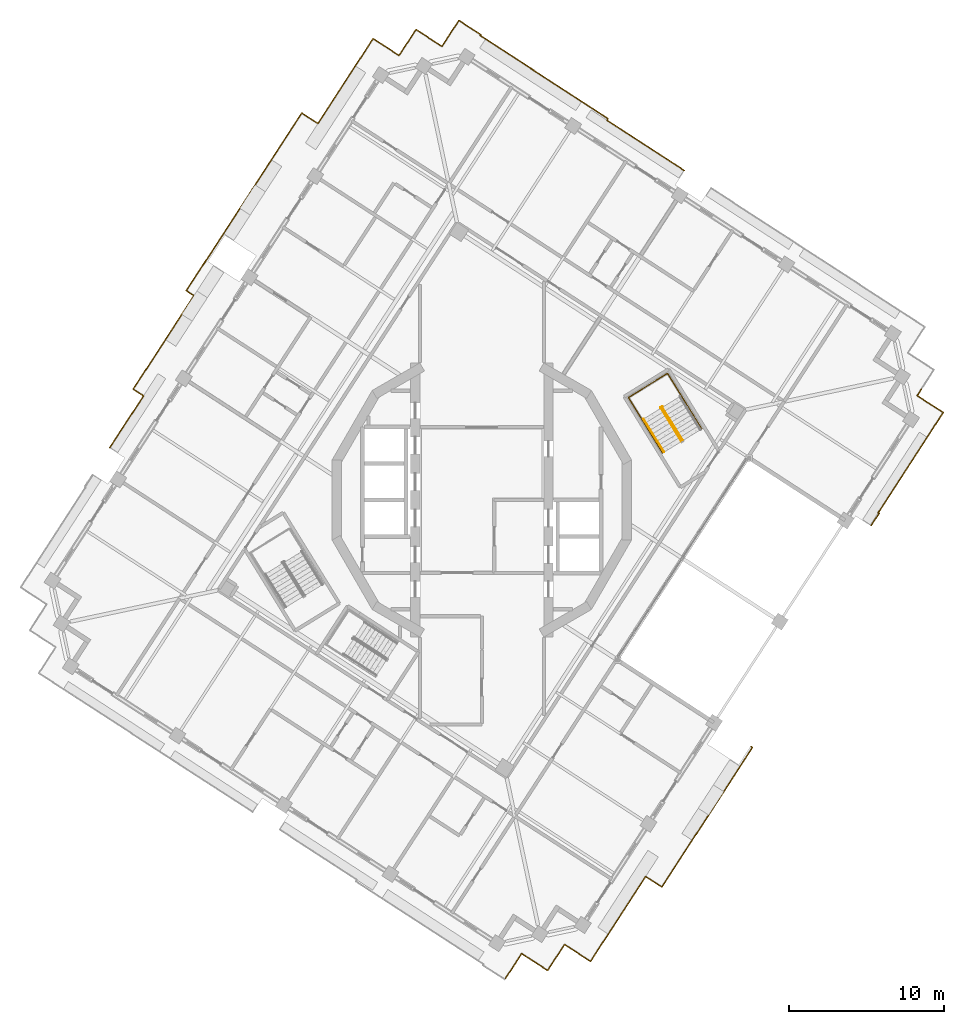
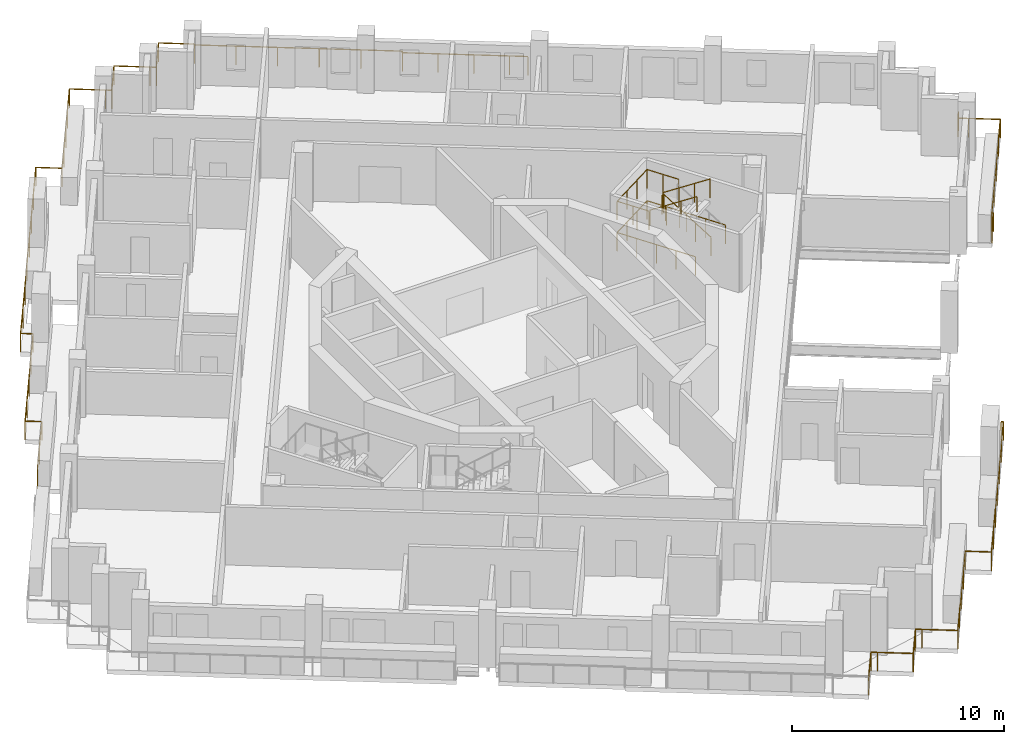
# One storey, part 15 of 17: 9 railings.
"""IFC4 building model written with IfcOpenShell, lengths in metres."""

from ifc_helpers import new_model, si_unit, direction, frame, origin, origin_2d, place, context, subcontext, project, spatial, circle, extrude, material, type_object, element, save


model = new_model("IFC4")

# Units and contexts
model_context = context("Model", 3, precision=1e-05, world=origin(), true_north=direction((0.0, 1.0)))
body_context = subcontext(model_context, "Body", "Model", "MODEL_VIEW")
ifc_project = project(units=[si_unit("LENGTHUNIT", "METRE"), si_unit("AREAUNIT", "SQUARE_METRE"), si_unit("VOLUMEUNIT", "CUBIC_METRE"), si_unit("PLANEANGLEUNIT", "RADIAN"), si_unit("MASSUNIT", "GRAM", prefix="KILO")], contexts=[model_context])

# Site, building, storey
site_placement = place(None, origin())
site = spatial("IfcSite", under=ifc_project, at=site_placement, CompositionType="ELEMENT")
building_placement = place(site_placement, origin())
building = spatial("IfcBuilding", under=site, at=building_placement, Name="Cantera Rosa Tower", CompositionType="ELEMENT")
storey_placement = place(building_placement, frame((0.0, 0.0, 264.89990234375)))
storey = spatial("IfcBuildingStorey", under=building, at=storey_placement, Name="L59", CompositionType="ELEMENT", Elevation=264.89990234375)

# Railings
ifc_material_1 = material(Name="Stainless steel and laminated glass", Category="steel")
railing_type_1 = type_object("IfcRailingType", Name="GUARD 1100", PredefinedType="BALUSTRADE", material=ifc_material_1)
railing_1_placement = place(storey_placement, frame((-5.58984375, 28.8486328125, 0.0)))
element("IfcRailing", 1, at=railing_1_placement, inside=storey, type_object=railing_type_1, Name="GUARD L59-3", PredefinedType="BALUSTRADE", context=body_context, shape_type="SweptSolid", body=[
    extrude(circle(Radius=0.030029296875, at=origin_2d()), frame((0.0, 0.0, 1.070068359375), z_axis=(0.838499355694, -0.544902588084, 0.0), x_axis=(0.544902588084, 0.838499355694, 0.0)), (0.0, 0.0, 1.0), 0.30029296875),
    extrude(circle(Radius=0.030029296875, at=origin_2d()), frame((0.251708984375, -0.16357421875, 1.070068359375), z_axis=(0.5443304008, 0.838870916629, 0.0), x_axis=(-0.838870916629, 0.5443304008, 0.0)), (0.0, 0.0, 1.0), 0.300048828125),
    extrude(circle(Radius=0.030029296875, at=origin_2d()), frame((0.4150390625, 0.088134765625, 1.070068359375), z_axis=(0.544685462014, 0.838640416073, 0.0), x_axis=(-0.838640416073, 0.544685462014, 0.0)), (0.0, 0.0, 1.0), 1.7001953125),
    extrude(circle(Radius=0.030029296875, at=origin_2d()), frame((1.341064453125, 1.513916015625, 1.070068359375), z_axis=(0.83859780397, -0.544751065329, 0.0), x_axis=(0.544751065329, 0.83859780397, 0.0)), (0.0, 0.0, 1.0), 1.699951171875),
    extrude(circle(Radius=0.030029296875, at=origin_2d()), frame((2.7666015625, 0.587890625, 1.070068359375), z_axis=(0.838870916629, -0.5443304008, 0.0), x_axis=(0.5443304008, 0.838870916629, 0.0)), (0.0, 0.0, 1.0), 0.300048828125),
    extrude(circle(Radius=0.030029296875, at=origin_2d()), frame((3.018310546875, 0.424560546875, 1.070068359375), z_axis=(0.54468796124, 0.838638792855, 0.0), x_axis=(-0.838638792855, 0.54468796124, 0.0)), (0.0, 0.0, 1.0), 2.0),
    extrude(circle(Radius=0.030029296875, at=origin_2d()), frame((4.107666015625, 2.101806640625, 1.070068359375), z_axis=(0.838663412569, -0.54465005317, 0.0), x_axis=(0.54465005317, 0.838663412569, 0.0)), (0.0, 0.0, 1.0), 1.69970703125),
    extrude(circle(Radius=0.030029296875, at=origin_2d()), frame((5.533203125, 1.176025390625, 1.070068359375), z_axis=(-0.54339569987, -0.839476690184, 0.0), x_axis=(0.839476690184, -0.54339569987, 0.0)), (0.0, 0.0, 1.0), 0.070068359375),
    extrude(circle(Radius=0.030029296875, at=origin_2d()), frame((5.4951171875, 1.1171875, 1.070068359375), z_axis=(0.838672787013, -0.544635617935, 0.0), x_axis=(0.544635617935, 0.838672787013, 0.0)), (0.0, 0.0, 1.0), 9.830078125),
    extrude(circle(Radius=0.030029296875, at=origin_2d()), frame((13.7392578125, -4.236572265625, 1.070068359375), z_axis=(-0.545120486239, -0.83835771332, 0.0), x_axis=(0.83835771332, -0.545120486239, 0.0)), (0.0, 0.0, 1.0), 0.1298828125),
    extrude(circle(Radius=0.030029296875, at=origin_2d()), frame((13.66845703125, -4.345458984375, 1.070068359375), z_axis=(0.838664674471, -0.544648110062, 0.0), x_axis=(0.544648110062, 0.838664674471, 0.0)), (0.0, 0.0, 1.0), 5.0703125),
    extrude(circle(Radius=0.030029296875, at=origin_2d()), frame((17.920654296875, -7.10693359375, 1.070068359375), z_axis=(0.838725681888, -0.544554157584, 0.0), x_axis=(0.544554157584, 0.838725681888, 0.0)), (0.0, 0.0, 1.0), 0.869873046875),
    extrude(circle(Radius=0.02490234375, at=origin_2d()), origin(), (0.0, 0.0, 1.0), 1.0400390625),
    extrude(circle(Radius=0.02490234375, at=origin_2d()), frame((0.251708984375, -0.16357421875, 0.0)), (0.0, 0.0, 1.0), 1.0400390625),
    extrude(circle(Radius=0.02490234375, at=origin_2d()), frame((0.4150390625, 0.088134765625, 0.0)), (0.0, 0.0, 1.0), 1.0400390625),
    extrude(circle(Radius=0.02490234375, at=origin_2d()), frame((1.341064453125, 1.513916015625, 0.0)), (0.0, 0.0, 1.0), 1.0400390625),
    extrude(circle(Radius=0.02490234375, at=origin_2d()), frame((2.7666015625, 0.587890625, 0.0)), (0.0, 0.0, 1.0), 1.0400390625),
    extrude(circle(Radius=0.02490234375, at=origin_2d()), frame((3.018310546875, 0.424560546875, 0.0)), (0.0, 0.0, 1.0), 1.0400390625),
    extrude(circle(Radius=0.02490234375, at=origin_2d()), frame((4.107666015625, 2.101806640625, 0.0)), (0.0, 0.0, 1.0), 1.0400390625),
    extrude(circle(Radius=0.02490234375, at=origin_2d()), frame((5.533203125, 1.176025390625, 0.0)), (0.0, 0.0, 1.0), 1.0400390625),
    extrude(circle(Radius=0.02490234375, at=origin_2d()), frame((5.4951171875, 1.1171875, 0.0)), (0.0, 0.0, 1.0), 1.0400390625),
    extrude(circle(Radius=0.02490234375, at=origin_2d()), frame((7.14404296875, 0.04638671875, 0.0)), (0.0, 0.0, 1.0), 1.0400390625),
    extrude(circle(Radius=0.02490234375, at=origin_2d()), frame((8.792724609375, -1.0244140625, 0.0)), (0.0, 0.0, 1.0), 1.0400390625),
    extrude(circle(Radius=0.02490234375, at=origin_2d()), frame((10.441650390625, -2.094970703125, 0.0)), (0.0, 0.0, 1.0), 1.0400390625),
    extrude(circle(Radius=0.02490234375, at=origin_2d()), frame((12.09033203125, -3.165771484375, 0.0)), (0.0, 0.0, 1.0), 1.0400390625),
    extrude(circle(Radius=0.02490234375, at=origin_2d()), frame((13.7392578125, -4.236572265625, 0.0)), (0.0, 0.0, 1.0), 1.0400390625),
    extrude(circle(Radius=0.02490234375, at=origin_2d()), frame((13.66845703125, -4.345458984375, 0.0)), (0.0, 0.0, 1.0), 1.0400390625),
    extrude(circle(Radius=0.02490234375, at=origin_2d()), frame((15.0859375, -5.265869140625, 0.0)), (0.0, 0.0, 1.0), 1.0400390625),
    extrude(circle(Radius=0.02490234375, at=origin_2d()), frame((16.503173828125, -6.1865234375, 0.0)), (0.0, 0.0, 1.0), 1.0400390625),
    extrude(circle(Radius=0.02490234375, at=origin_2d()), frame((17.920654296875, -7.10693359375, 0.0)), (0.0, 0.0, 1.0), 1.0400390625),
    extrude(circle(Radius=0.02490234375, at=origin_2d()), frame((18.650146484375, -7.58056640625, 0.0)), (0.0, 0.0, 1.0), 1.0400390625),
])
railing_2_placement = place(storey_placement, frame((-24.00390625, 3.37841796875, 0.0)))
element("IfcRailing", 2, at=railing_2_placement, inside=storey, type_object=railing_type_1, Name="GUARD L59-4", PredefinedType="BALUSTRADE", context=body_context, shape_type="SweptSolid", body=[
    extrude(circle(Radius=0.030029296875, at=origin_2d()), frame((0.0, 0.0, 1.070068359375), z_axis=(0.544618301385, 0.838684032158, 0.0), x_axis=(-0.838684032158, 0.544618301385, 0.0)), (0.0, 0.0, 1.0), 3.9892578125),
    extrude(circle(Radius=0.030029296875, at=origin_2d()), frame((2.172607421875, 3.345703125, 1.070068359375), z_axis=(-0.838697885351, 0.54459696759, 0.0), x_axis=(-0.54459696759, -0.838697885351, 0.0)), (0.0, 0.0, 1.0), 0.78955078125),
    extrude(circle(Radius=0.030029296875, at=origin_2d()), frame((1.510498046875, 3.775634765625, 1.070068359375), z_axis=(0.544649472572, 0.838663789624, 0.0), x_axis=(-0.838663789624, 0.544649472572, 0.0)), (0.0, 0.0, 1.0), 7.192626953125),
    extrude(circle(Radius=0.030029296875, at=origin_2d()), frame((5.427978515625, 9.807861328125, 1.070068359375), z_axis=(-0.838766340753, 0.544491529429, 0.0), x_axis=(-0.544491529429, -0.838766340753, 0.0)), (0.0, 0.0, 1.0), 0.58740234375),
    extrude(circle(Radius=0.030029296875, at=origin_2d()), frame((4.935302734375, 10.127685546875, 1.070068359375), z_axis=(0.544641318497, 0.838669085031, 0.0), x_axis=(-0.838669085031, 0.544641318497, 0.0)), (0.0, 0.0, 1.0), 13.676513671875),
    extrude(circle(Radius=0.030029296875, at=origin_2d()), frame((12.384033203125, 21.59765625, 1.070068359375), z_axis=(0.838729508859, -0.544548263214, 0.0), x_axis=(0.544548263214, 0.838729508859, 0.0)), (0.0, 0.0, 1.0), 1.248046875),
    extrude(circle(Radius=0.030029296875, at=origin_2d()), frame((13.430908203125, 20.91796875, 1.070068359375), z_axis=(0.544643753579, 0.838667503655, 0.0), x_axis=(-0.838667503655, 0.544643753579, 0.0)), (0.0, 0.0, 1.0), 4.831787109375),
    extrude(circle(Radius=0.030029296875, at=origin_2d()), frame((16.0625, 24.97021484375, 1.070068359375), z_axis=(0.544584451758, 0.838706012202, 0.0), x_axis=(-0.838706012202, 0.544584451758, 0.0)), (0.0, 0.0, 1.0), 1.699951171875),
    extrude(circle(Radius=0.030029296875, at=origin_2d()), frame((16.98828125, 26.39599609375, 1.070068359375), z_axis=(0.838706012202, -0.544584451758, 0.0), x_axis=(0.544584451758, 0.838706012202, 0.0)), (0.0, 0.0, 1.0), 1.699951171875),
    extrude(circle(Radius=0.02490234375, at=origin_2d()), origin(), (0.0, 0.0, 1.0), 1.0400390625),
    extrude(circle(Radius=0.02490234375, at=origin_2d()), frame((1.08642578125, 1.6728515625, 0.0)), (0.0, 0.0, 1.0), 1.0400390625),
    extrude(circle(Radius=0.02490234375, at=origin_2d()), frame((2.172607421875, 3.345703125, 0.0)), (0.0, 0.0, 1.0), 1.0400390625),
    extrude(circle(Radius=0.02490234375, at=origin_2d()), frame((1.510498046875, 3.775634765625, 0.0)), (0.0, 0.0, 1.0), 1.0400390625),
    extrude(circle(Radius=0.02490234375, at=origin_2d()), frame((2.48974609375, 5.28369140625, 0.0)), (0.0, 0.0, 1.0), 1.0400390625),
    extrude(circle(Radius=0.02490234375, at=origin_2d()), frame((3.46923828125, 6.791748046875, 0.0)), (0.0, 0.0, 1.0), 1.0400390625),
    extrude(circle(Radius=0.02490234375, at=origin_2d()), frame((4.44873046875, 8.2998046875, 0.0)), (0.0, 0.0, 1.0), 1.0400390625),
    extrude(circle(Radius=0.02490234375, at=origin_2d()), frame((5.427978515625, 9.807861328125, 0.0)), (0.0, 0.0, 1.0), 1.0400390625),
    extrude(circle(Radius=0.02490234375, at=origin_2d()), frame((4.935302734375, 10.127685546875, 0.0)), (0.0, 0.0, 1.0), 1.0400390625),
    extrude(circle(Radius=0.02490234375, at=origin_2d()), frame((5.99951171875, 11.766357421875, 0.0)), (0.0, 0.0, 1.0), 1.0400390625),
    extrude(circle(Radius=0.02490234375, at=origin_2d()), frame((7.0634765625, 13.40478515625, 0.0)), (0.0, 0.0, 1.0), 1.0400390625),
    extrude(circle(Radius=0.02490234375, at=origin_2d()), frame((8.127685546875, 15.04345703125, 0.0)), (0.0, 0.0, 1.0), 1.0400390625),
    extrude(circle(Radius=0.02490234375, at=origin_2d()), frame((9.191650390625, 16.681884765625, 0.0)), (0.0, 0.0, 1.0), 1.0400390625),
    extrude(circle(Radius=0.02490234375, at=origin_2d()), frame((10.255859375, 18.320556640625, 0.0)), (0.0, 0.0, 1.0), 1.0400390625),
    extrude(circle(Radius=0.02490234375, at=origin_2d()), frame((11.31982421875, 19.958984375, 0.0)), (0.0, 0.0, 1.0), 1.0400390625),
    extrude(circle(Radius=0.02490234375, at=origin_2d()), frame((12.384033203125, 21.59765625, 0.0)), (0.0, 0.0, 1.0), 1.0400390625),
    extrude(circle(Radius=0.02490234375, at=origin_2d()), frame((13.430908203125, 20.91796875, 0.0)), (0.0, 0.0, 1.0), 1.0400390625),
    extrude(circle(Radius=0.02490234375, at=origin_2d()), frame((14.30810546875, 22.268798828125, 0.0)), (0.0, 0.0, 1.0), 1.0400390625),
    extrude(circle(Radius=0.02490234375, at=origin_2d()), frame((15.185302734375, 23.619384765625, 0.0)), (0.0, 0.0, 1.0), 1.0400390625),
    extrude(circle(Radius=0.02490234375, at=origin_2d()), frame((16.0625, 24.97021484375, 0.0)), (0.0, 0.0, 1.0), 1.0400390625),
    extrude(circle(Radius=0.02490234375, at=origin_2d()), frame((16.98828125, 26.39599609375, 0.0)), (0.0, 0.0, 1.0), 1.0400390625),
    extrude(circle(Radius=0.02490234375, at=origin_2d()), frame((18.4140625, 25.47021484375, 0.0)), (0.0, 0.0, 1.0), 1.0400390625),
])
railing_3_placement = place(storey_placement, frame((17.36376953125, -15.914306640625, 0.0)))
element("IfcRailing", 3, at=railing_3_placement, inside=storey, type_object=railing_type_1, Name="GUARD L59-6", PredefinedType="BALUSTRADE", context=body_context, shape_type="SweptSolid", body=[
    extrude(circle(Radius=0.030029296875, at=origin_2d()), frame((0.0, 0.0, 1.070068359375), z_axis=(0.838349249797, -0.545133502331, 0.0), x_axis=(0.545133502331, 0.838349249797, 0.0)), (0.0, 0.0, 1.0), 0.1181640625),
    extrude(circle(Radius=0.030029296875, at=origin_2d()), frame((0.09912109375, -0.064453125, 1.070068359375), z_axis=(-0.544645149011, -0.838666597438, 0.0), x_axis=(0.838666597438, -0.544645149011, 0.0)), (0.0, 0.0, 1.0), 10.72802734375),
    extrude(circle(Radius=0.030029296875, at=origin_2d()), frame((-5.743896484375, -9.061767578125, 1.070068359375), z_axis=(-0.838729508859, 0.544548263214, 0.0), x_axis=(-0.544548263214, -0.838729508859, 0.0)), (0.0, 0.0, 1.0), 1.248046875),
    extrude(circle(Radius=0.030029296875, at=origin_2d()), frame((-6.790771484375, -8.382080078125, 1.070068359375), z_axis=(-0.544643753579, -0.838667503655, 0.0), x_axis=(0.838667503655, -0.544643753579, 0.0)), (0.0, 0.0, 1.0), 4.831787109375),
    extrude(circle(Radius=0.030029296875, at=origin_2d()), frame((-9.42236328125, -12.434326171875, 1.070068359375), z_axis=(-0.544584451758, -0.838706012202, 0.0), x_axis=(0.838706012202, -0.544584451758, 0.0)), (0.0, 0.0, 1.0), 1.699951171875),
    extrude(circle(Radius=0.030029296875, at=origin_2d()), frame((-10.34814453125, -13.860107421875, 1.070068359375), z_axis=(-0.838706012202, 0.544584451758, 0.0), x_axis=(-0.544584451758, -0.838706012202, 0.0)), (0.0, 0.0, 1.0), 1.699951171875),
    extrude(circle(Radius=0.030029296875, at=origin_2d()), frame((-11.77392578125, -12.934326171875, 1.070068359375), z_axis=(-0.838499355694, 0.544902588084, 0.0), x_axis=(-0.544902588084, -0.838499355694, 0.0)), (0.0, 0.0, 1.0), 0.30029296875),
    extrude(circle(Radius=0.030029296875, at=origin_2d()), frame((-12.025634765625, -12.770751953125, 1.070068359375), z_axis=(-0.5443304008, -0.838870916629, 0.0), x_axis=(0.838870916629, -0.5443304008, 0.0)), (0.0, 0.0, 1.0), 0.300048828125),
    extrude(circle(Radius=0.030029296875, at=origin_2d()), frame((-12.18896484375, -13.0224609375, 1.070068359375), z_axis=(-0.544685462014, -0.838640416073, 0.0), x_axis=(0.838640416073, -0.544685462014, 0.0)), (0.0, 0.0, 1.0), 1.7001953125),
    extrude(circle(Radius=0.030029296875, at=origin_2d()), frame((-13.114990234375, -14.4482421875, 1.070068359375), z_axis=(-0.83859780397, 0.544751065329, 0.0), x_axis=(-0.544751065329, -0.83859780397, 0.0)), (0.0, 0.0, 1.0), 1.699951171875),
    extrude(circle(Radius=0.030029296875, at=origin_2d()), frame((-14.54052734375, -13.522216796875, 1.070068359375), z_axis=(-0.838870916629, 0.5443304008, 0.0), x_axis=(-0.5443304008, -0.838870916629, 0.0)), (0.0, 0.0, 1.0), 0.300048828125),
    extrude(circle(Radius=0.030029296875, at=origin_2d()), frame((-14.792236328125, -13.35888671875, 1.070068359375), z_axis=(-0.54468796124, -0.838638792855, 0.0), x_axis=(0.838638792855, -0.54468796124, 0.0)), (0.0, 0.0, 1.0), 2.0),
    extrude(circle(Radius=0.02490234375, at=origin_2d()), origin(), (0.0, 0.0, 1.0), 1.0400390625),
    extrude(circle(Radius=0.02490234375, at=origin_2d()), frame((0.09912109375, -0.064453125, 0.0)), (0.0, 0.0, 1.0), 1.0400390625),
    extrude(circle(Radius=0.02490234375, at=origin_2d()), frame((-0.874755859375, -1.56396484375, 0.0)), (0.0, 0.0, 1.0), 1.0400390625),
    extrude(circle(Radius=0.02490234375, at=origin_2d()), frame((-1.8486328125, -3.0634765625, 0.0)), (0.0, 0.0, 1.0), 1.0400390625),
    extrude(circle(Radius=0.02490234375, at=origin_2d()), frame((-2.822265625, -4.56298828125, 0.0)), (0.0, 0.0, 1.0), 1.0400390625),
    extrude(circle(Radius=0.02490234375, at=origin_2d()), frame((-3.796142578125, -6.062744140625, 0.0)), (0.0, 0.0, 1.0), 1.0400390625),
    extrude(circle(Radius=0.02490234375, at=origin_2d()), frame((-4.77001953125, -7.562255859375, 0.0)), (0.0, 0.0, 1.0), 1.0400390625),
    extrude(circle(Radius=0.02490234375, at=origin_2d()), frame((-5.743896484375, -9.061767578125, 0.0)), (0.0, 0.0, 1.0), 1.0400390625),
    extrude(circle(Radius=0.02490234375, at=origin_2d()), frame((-6.790771484375, -8.382080078125, 0.0)), (0.0, 0.0, 1.0), 1.0400390625),
    extrude(circle(Radius=0.02490234375, at=origin_2d()), frame((-7.66796875, -9.73291015625, 0.0)), (0.0, 0.0, 1.0), 1.0400390625),
    extrude(circle(Radius=0.02490234375, at=origin_2d()), frame((-8.545166015625, -11.08349609375, 0.0)), (0.0, 0.0, 1.0), 1.0400390625),
    extrude(circle(Radius=0.02490234375, at=origin_2d()), frame((-9.42236328125, -12.434326171875, 0.0)), (0.0, 0.0, 1.0), 1.0400390625),
    extrude(circle(Radius=0.02490234375, at=origin_2d()), frame((-10.34814453125, -13.860107421875, 0.0)), (0.0, 0.0, 1.0), 1.0400390625),
    extrude(circle(Radius=0.02490234375, at=origin_2d()), frame((-11.77392578125, -12.934326171875, 0.0)), (0.0, 0.0, 1.0), 1.0400390625),
    extrude(circle(Radius=0.02490234375, at=origin_2d()), frame((-12.025634765625, -12.770751953125, 0.0)), (0.0, 0.0, 1.0), 1.0400390625),
    extrude(circle(Radius=0.02490234375, at=origin_2d()), frame((-12.18896484375, -13.0224609375, 0.0)), (0.0, 0.0, 1.0), 1.0400390625),
    extrude(circle(Radius=0.02490234375, at=origin_2d()), frame((-13.114990234375, -14.4482421875, 0.0)), (0.0, 0.0, 1.0), 1.0400390625),
    extrude(circle(Radius=0.02490234375, at=origin_2d()), frame((-14.54052734375, -13.522216796875, 0.0)), (0.0, 0.0, 1.0), 1.0400390625),
    extrude(circle(Radius=0.02490234375, at=origin_2d()), frame((-14.792236328125, -13.35888671875, 0.0)), (0.0, 0.0, 1.0), 1.0400390625),
    extrude(circle(Radius=0.02490234375, at=origin_2d()), frame((-15.881591796875, -15.0361328125, 0.0)), (0.0, 0.0, 1.0), 1.0400390625),
])
railing_4_placement = place(storey_placement, frame((28.3720703125, 7.151123046875, 0.0)))
element("IfcRailing", 4, at=railing_4_placement, inside=storey, type_object=railing_type_1, Name="GUARD L59-7", PredefinedType="BALUSTRADE", context=body_context, shape_type="SweptSolid", body=[
    extrude(circle(Radius=0.030029296875, at=origin_2d()), frame((0.0, 0.0, 1.070068359375), z_axis=(-0.544627753175, -0.83867789435, 0.0), x_axis=(0.83867789435, -0.544627753175, 0.0)), (0.0, 0.0, 1.0), 0.499755859375),
    extrude(circle(Radius=0.030029296875, at=origin_2d()), frame((-0.272216796875, -0.419189453125, 1.070068359375), z_axis=(0.838454772945, -0.544971186143, 0.0), x_axis=(0.544971186143, 0.838454772945, 0.0)), (0.0, 0.0, 1.0), 0.5),
    extrude(circle(Radius=0.030029296875, at=origin_2d()), frame((0.14697265625, -0.691650390625, 1.070068359375), z_axis=(0.8387001057, -0.544593548161, 0.0), x_axis=(0.544593548161, 0.8387001057, 0.0)), (0.0, 0.0, 1.0), 1.5),
    extrude(circle(Radius=0.030029296875, at=origin_2d()), frame((1.405029296875, -1.508544921875, 1.070068359375), z_axis=(-0.544593548161, -0.8387001057, 0.0), x_axis=(0.8387001057, -0.544593548161, 0.0)), (0.0, 0.0, 1.0), 1.5),
    extrude(circle(Radius=0.030029296875, at=origin_2d()), frame((0.588134765625, -2.7666015625, 1.070068359375), z_axis=(-0.544651062083, -0.838662757354, 0.0), x_axis=(0.838662757354, -0.544651062083, 0.0)), (0.0, 0.0, 1.0), 6.208740234375),
    extrude(circle(Radius=0.030029296875, at=origin_2d()), frame((-2.79345703125, -7.9736328125, 1.070068359375), z_axis=(0.839844835389, -0.542826539947, 0.0), x_axis=(0.542826539947, 0.839844835389, 0.0)), (0.0, 0.0, 1.0), 0.071533203125),
    extrude(circle(Radius=0.030029296875, at=origin_2d()), frame((-2.7333984375, -8.012451171875, 1.070068359375), z_axis=(-0.544605442853, -0.838692381994, 0.0), x_axis=(0.838692381994, -0.544605442853, 0.0)), (0.0, 0.0, 1.0), 0.94140625),
    extrude(circle(Radius=0.02490234375, at=origin_2d()), origin(), (0.0, 0.0, 1.0), 1.0400390625),
    extrude(circle(Radius=0.02490234375, at=origin_2d()), frame((-0.272216796875, -0.419189453125, 0.0)), (0.0, 0.0, 1.0), 1.0400390625),
    extrude(circle(Radius=0.02490234375, at=origin_2d()), frame((0.14697265625, -0.691650390625, 0.0)), (0.0, 0.0, 1.0), 1.0400390625),
    extrude(circle(Radius=0.02490234375, at=origin_2d()), frame((1.405029296875, -1.508544921875, 0.0)), (0.0, 0.0, 1.0), 1.0400390625),
    extrude(circle(Radius=0.02490234375, at=origin_2d()), frame((0.588134765625, -2.7666015625, 0.0)), (0.0, 0.0, 1.0), 1.0400390625),
    extrude(circle(Radius=0.02490234375, at=origin_2d()), frame((-0.5390625, -4.502197265625, 0.0)), (0.0, 0.0, 1.0), 1.0400390625),
    extrude(circle(Radius=0.02490234375, at=origin_2d()), frame((-1.666259765625, -6.238037109375, 0.0)), (0.0, 0.0, 1.0), 1.0400390625),
    extrude(circle(Radius=0.02490234375, at=origin_2d()), frame((-2.79345703125, -7.9736328125, 0.0)), (0.0, 0.0, 1.0), 1.0400390625),
    extrude(circle(Radius=0.02490234375, at=origin_2d()), frame((-2.7333984375, -8.012451171875, 0.0)), (0.0, 0.0, 1.0), 1.0400390625),
    extrude(circle(Radius=0.02490234375, at=origin_2d()), frame((-3.24609375, -8.802001953125, 0.0)), (0.0, 0.0, 1.0), 1.0400390625),
])
ifc_material_2 = material(Name="Steel S355J2 (EN 10025-2)", Category="steel")
railing_type_2 = type_object("IfcRailingType", Name="STAIR GUARD 1100", PredefinedType="GUARDRAIL", material=ifc_material_2)
railing_5_placement = place(storey_placement, frame((12.9765625, 3.834228515625, 0.18017578125)))
element("IfcRailing", 5, at=railing_5_placement, inside=storey, type_object=railing_type_2, Name="L59 ST-51 stair guard 1", PredefinedType="GUARDRAIL", context=body_context, shape_type="SweptSolid", body=[
    extrude(circle(Radius=0.02392578125, at=origin_2d()), frame((0.0, 0.0, 1.076171875), z_axis=(-0.441562923896, 0.715970890813, 0.540747508315), x_axis=(-0.851145618652, -0.524929648476, 0.0)), (0.0, 0.0, 1.0), 2.99560546875),
    extrude(circle(Radius=0.02392578125, at=origin_2d()), frame((-1.32275390625, 2.144775390625, 2.69580078125), z_axis=(-0.073711968402, 0.997279572494, 0.0), x_axis=(-0.997279572494, -0.073711968402, 0.0)), (0.0, 0.0, 1.0), 0.056396484375),
    extrude(circle(Radius=0.02392578125, at=origin_2d()), frame((-1.326904296875, 2.200927734375, 2.69580078125), z_axis=(-0.851546489876, -0.524279100842, 0.0), x_axis=(0.524279100842, -0.851546489876, 0.0)), (0.0, 0.0, 1.0), 0.14990234375),
    extrude(circle(Radius=0.02099609375, at=origin_2d()), origin(), (0.0, 0.0, 1.0), 1.052001953125),
    extrude(circle(Radius=0.02099609375, at=origin_2d()), frame((-0.44091796875, 0.71484375, 0.5400390625)), (0.0, 0.0, 1.0), 1.052001953125),
    extrude(circle(Radius=0.02099609375, at=origin_2d()), frame((-0.8818359375, 1.429931640625, 1.079833984375)), (0.0, 0.0, 1.0), 1.052001953125),
    extrude(circle(Radius=0.02099609375, at=origin_2d()), frame((-1.32275390625, 2.144775390625, 1.619873046875)), (0.0, 0.0, 1.0), 1.052001953125),
    extrude(circle(Radius=0.02099609375, at=origin_2d()), frame((-1.326904296875, 2.200927734375, 1.619873046875)), (0.0, 0.0, 1.0), 1.052001953125),
    extrude(circle(Radius=0.02099609375, at=origin_2d()), frame((-1.45458984375, 2.122314453125, 1.619873046875)), (0.0, 0.0, 1.0), 1.052001953125),
])
railing_6_placement = place(storey_placement, frame((11.5703125, 5.927490234375, 1.97998046875)))
element("IfcRailing", 6, at=railing_6_placement, inside=storey, type_object=railing_type_2, Name="L59 ST-51 stair guard 2", PredefinedType="GUARDRAIL", context=body_context, shape_type="SweptSolid", body=[
    extrude(circle(Radius=0.02392578125, at=origin_2d()), frame((0.0, 0.0, 1.076171875), z_axis=(0.441609067481, -0.715913574058, 0.540785711718), x_axis=(0.851102330005, 0.524999832248, 0.0)), (0.0, 0.0, 1.0), 2.995849609375),
    extrude(circle(Radius=0.02099609375, at=origin_2d()), origin(), (0.0, 0.0, 1.0), 1.052001953125),
    extrude(circle(Radius=0.02099609375, at=origin_2d()), frame((0.44091796875, -0.71484375, 0.5400390625)), (0.0, 0.0, 1.0), 1.052001953125),
    extrude(circle(Radius=0.02099609375, at=origin_2d()), frame((0.882080078125, -1.429931640625, 1.080078125)), (0.0, 0.0, 1.0), 1.052001953125),
    extrude(circle(Radius=0.02099609375, at=origin_2d()), frame((1.322998046875, -2.144775390625, 1.6201171875)), (0.0, 0.0, 1.0), 1.052001953125),
])
railing_7_placement = place(storey_placement, frame((14.192626953125, 4.59814453125, 0.0)))
element("IfcRailing", 7, at=railing_7_placement, inside=storey, type_object=railing_type_2, Name="L59 ST-51 stair guard 4", PredefinedType="GUARDRAIL", context=body_context, shape_type="SweptSolid", body=[
    extrude(circle(Radius=0.02392578125, at=origin_2d()), frame((0.0, 0.0, 1.076171875), z_axis=(-0.524976478809, 0.851116735059, 0.0), x_axis=(-0.851116735059, -0.524976478809, 0.0)), (0.0, 0.0, 1.0), 4.197998046875),
    extrude(circle(Radius=0.02392578125, at=origin_2d()), frame((-2.203857421875, 3.572998046875, 1.076171875), z_axis=(-0.851132917336, -0.524950242429, 0.0), x_axis=(0.524950242429, -0.851132917336, 0.0)), (0.0, 0.0, 1.0), 2.969970703125),
    extrude(circle(Radius=0.02392578125, at=origin_2d()), frame((-4.731689453125, 2.013916015625, 1.076171875), z_axis=(0.524976478809, -0.851116735059, 0.0), x_axis=(0.851116735059, 0.524976478809, 0.0)), (0.0, 0.0, 1.0), 4.197998046875),
    extrude(circle(Radius=0.02099609375, at=origin_2d()), origin(), (0.0, 0.0, 1.0), 1.052001953125),
    extrude(circle(Radius=0.02099609375, at=origin_2d()), frame((-0.551025390625, 0.893310546875, 0.0)), (0.0, 0.0, 1.0), 1.052001953125),
    extrude(circle(Radius=0.02099609375, at=origin_2d()), frame((-1.10205078125, 1.78662109375, 0.0)), (0.0, 0.0, 1.0), 1.052001953125),
    extrude(circle(Radius=0.02099609375, at=origin_2d()), frame((-1.65283203125, 2.6796875, 0.0)), (0.0, 0.0, 1.0), 1.052001953125),
    extrude(circle(Radius=0.02099609375, at=origin_2d()), frame((-2.203857421875, 3.572998046875, 0.0)), (0.0, 0.0, 1.0), 1.052001953125),
    extrude(circle(Radius=0.02099609375, at=origin_2d()), frame((-3.04638671875, 3.05322265625, 0.0)), (0.0, 0.0, 1.0), 1.052001953125),
    extrude(circle(Radius=0.02099609375, at=origin_2d()), frame((-3.88916015625, 2.53369140625, 0.0)), (0.0, 0.0, 1.0), 1.052001953125),
    extrude(circle(Radius=0.02099609375, at=origin_2d()), frame((-4.731689453125, 2.013916015625, 0.0)), (0.0, 0.0, 1.0), 1.052001953125),
    extrude(circle(Radius=0.02099609375, at=origin_2d()), frame((-4.1806640625, 1.12060546875, 0.0)), (0.0, 0.0, 1.0), 1.052001953125),
    extrude(circle(Radius=0.02099609375, at=origin_2d()), frame((-3.6298828125, 0.2275390625, 0.0)), (0.0, 0.0, 1.0), 1.052001953125),
    extrude(circle(Radius=0.02099609375, at=origin_2d()), frame((-3.078857421875, -0.665771484375, 0.0)), (0.0, 0.0, 1.0), 1.052001953125),
    extrude(circle(Radius=0.02099609375, at=origin_2d()), frame((-2.52783203125, -1.55908203125, 0.0)), (0.0, 0.0, 1.0), 1.052001953125),
])
railing_8_placement = place(storey_placement, frame((12.88232421875, 6.72265625, 1.800048828125)))
element("IfcRailing", 8, at=railing_8_placement, inside=storey, type_object=railing_type_2, Name="L59 ST-51 stair guard 5", PredefinedType="GUARDRAIL", context=body_context, shape_type="SweptSolid", body=[
    extrude(circle(Radius=0.02392578125, at=origin_2d()), frame((0.0, 0.0, 1.076171875), z_axis=(-0.525025534833, 0.851086474909, 0.0), x_axis=(-0.851086474909, -0.525025534833, 0.0)), (0.0, 0.0, 1.0), 1.701904296875),
    extrude(circle(Radius=0.02392578125, at=origin_2d()), frame((-0.8935546875, 1.448486328125, 1.076171875), z_axis=(-0.851132917336, -0.524950242429, 0.0), x_axis=(0.524950242429, -0.851132917336, 0.0)), (0.0, 0.0, 1.0), 2.969970703125),
    extrude(circle(Radius=0.02392578125, at=origin_2d()), frame((-3.42138671875, -0.110595703125, 1.076171875), z_axis=(0.524961441845, -0.851126009811, 0.0), x_axis=(0.851126009811, 0.524961441845, 0.0)), (0.0, 0.0, 1.0), 1.7021484375),
    extrude(circle(Radius=0.02099609375, at=origin_2d()), origin(), (0.0, 0.0, 1.0), 1.052001953125),
    extrude(circle(Radius=0.02099609375, at=origin_2d()), frame((-0.44677734375, 0.72412109375, 0.0)), (0.0, 0.0, 1.0), 1.052001953125),
    extrude(circle(Radius=0.02099609375, at=origin_2d()), frame((-0.8935546875, 1.448486328125, 0.0)), (0.0, 0.0, 1.0), 1.052001953125),
    extrude(circle(Radius=0.02099609375, at=origin_2d()), frame((-1.736083984375, 0.9287109375, 0.0)), (0.0, 0.0, 1.0), 1.052001953125),
    extrude(circle(Radius=0.02099609375, at=origin_2d()), frame((-2.578857421875, 0.4091796875, 0.0)), (0.0, 0.0, 1.0), 1.052001953125),
    extrude(circle(Radius=0.02099609375, at=origin_2d()), frame((-3.42138671875, -0.110595703125, 0.0)), (0.0, 0.0, 1.0), 1.052001953125),
    extrude(circle(Radius=0.02099609375, at=origin_2d()), frame((-2.974609375, -0.8349609375, 0.0)), (0.0, 0.0, 1.0), 1.052001953125),
    extrude(circle(Radius=0.02099609375, at=origin_2d()), frame((-2.52783203125, -1.559326171875, 0.0)), (0.0, 0.0, 1.0), 1.052001953125),
])
ifc_material_3 = material(Name="Steel S355J2 (EN 10025-2)", Category="steel")
railing_type_3 = type_object("IfcRailingType", Name="STAIR HANDRAIL 900", PredefinedType="HANDRAIL", material=ifc_material_3)
railing_9_placement = place(storey_placement, frame((10.441650390625, 5.2314453125, 1.97998046875)))
element("IfcRailing", 9, at=railing_9_placement, inside=storey, type_object=railing_type_3, Name="L59 ST-51 stair handrail 2", PredefinedType="HANDRAIL", context=body_context, shape_type="SweptSolid", body=[
    extrude(circle(Radius=0.02392578125, at=origin_2d()), frame((0.0, 0.0, 0.8759765625), z_axis=(0.441609067481, -0.715913574058, 0.540785711718), x_axis=(0.851102330005, 0.524999832248, 0.0)), (0.0, 0.0, 1.0), 2.995849609375),
    extrude(circle(Radius=0.02099609375, at=origin_2d()), origin(), (0.0, 0.0, 1.0), 0.851806640625),
    extrude(circle(Radius=0.02099609375, at=origin_2d()), frame((0.44091796875, -0.71484375, 0.5400390625)), (0.0, 0.0, 1.0), 0.851806640625),
    extrude(circle(Radius=0.02099609375, at=origin_2d()), frame((0.882080078125, -1.429931640625, 1.080078125)), (0.0, 0.0, 1.0), 0.851806640625),
    extrude(circle(Radius=0.02099609375, at=origin_2d()), frame((1.322998046875, -2.144775390625, 1.6201171875)), (0.0, 0.0, 1.0), 0.851806640625),
])

save(model, "model.ifc")
